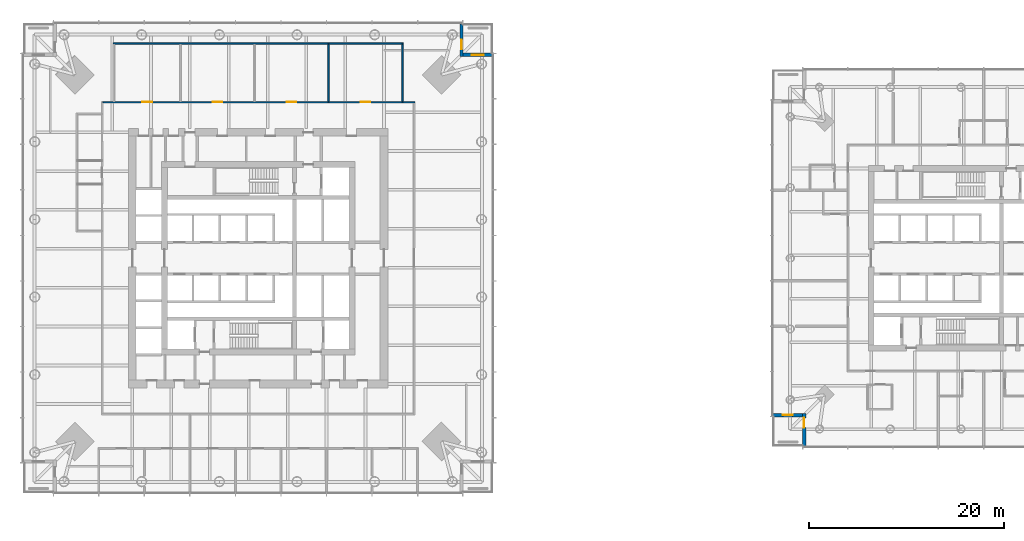
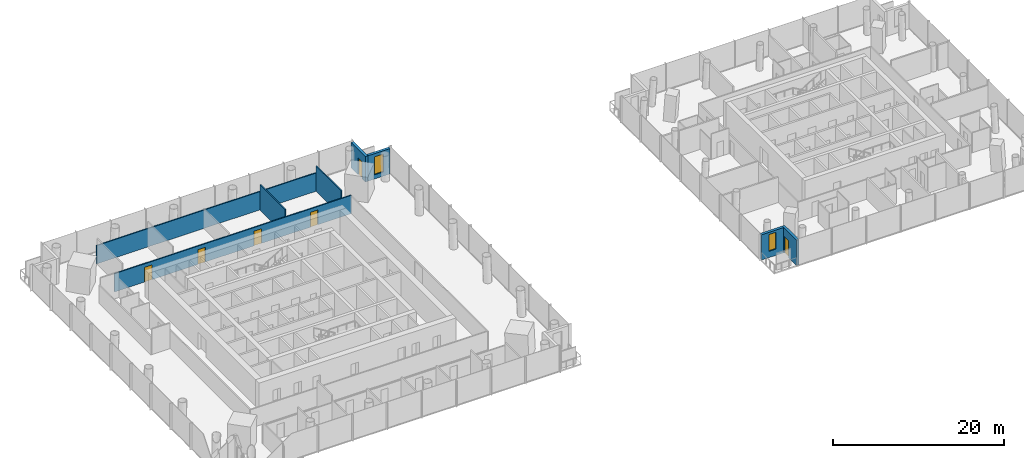
# One storey, part 11 of 18: 8 walls, 6 doors, 2 windows, 8 openings.
"""IFC4 building model written with IfcOpenShell, lengths in metres."""

from ifc_helpers import new_model, si_unit, direction, frame, frame_2d, origin, place, context, subcontext, project, spatial, rectangle, extrude, material, layer, layer_set, type_object, element, fill, save


model = new_model("IFC4")

# Units and contexts
model_context = context("Model", 3, precision=1e-05, world=origin(), true_north=direction((0.0, 1.0)))
body_context = subcontext(model_context, "Body", "Model", "MODEL_VIEW")
ifc_project = project(units=[si_unit("LENGTHUNIT", "METRE"), si_unit("AREAUNIT", "SQUARE_METRE"), si_unit("VOLUMEUNIT", "CUBIC_METRE"), si_unit("PLANEANGLEUNIT", "RADIAN"), si_unit("MASSUNIT", "GRAM", prefix="KILO")], contexts=[model_context])

# Site, building, storey
site_placement = place(None, origin())
site = spatial("IfcSite", under=ifc_project, at=site_placement, CompositionType="ELEMENT")
building_placement = place(site_placement, origin())
building = spatial("IfcBuilding", under=site, at=building_placement, Name="Ostroluk Exchange", CompositionType="ELEMENT")
storey_placement = place(building_placement, frame((0.0, 0.0, 55.199951171875)))
storey = spatial("IfcBuildingStorey", under=building, at=storey_placement, Name="L13", CompositionType="ELEMENT", Elevation=55.199951171875)

# Wall, opening, door
ifc_material_1 = material(Name="Limestone", Category="masonry")
ifc_layer_1 = layer(ifc_material_1, 0.35009765625)
ifc_layer_set_1 = layer_set([ifc_layer_1], Name="Limestone facade wall 350")
wall_type_1 = type_object("IfcWallType", Name="Limestone facade wall 350", PredefinedType="SOLIDWALL", material=ifc_layer_set_1)
wall_1_placement = place(storey_placement, frame((65.824951171875, 70.0, 0.0), z_axis=(0.0, 0.0, 1.0), x_axis=(0.0, -1.0, 0.0)))
wall_1 = element("IfcWall", 1, at=wall_1_placement, inside=storey, type_object=wall_type_1, Name="Office tower NE corner wall L13 a", PredefinedType="SOLIDWALL", context=body_context, shape_type="SweptSolid", body=[
    extrude(rectangle(XDim=3.35009765625, YDim=0.35009765625, at=frame_2d((1.675048828125, 0.0))), origin(), (0.0, 0.0, 1.0), 3.6201171875),
])
opening_1_placement = place(wall_1_placement, frame((1.60009765625, 0.0, 0.0)))
opening_1 = element("IfcOpeningElement", 2, at=opening_1_placement, cuts=wall_1, Name="Opening D-B1", PredefinedType="OPENING", context=body_context, shape_type="SweptSolid", body=[
    extrude(rectangle(XDim=1.0, YDim=2.39990234375, at=frame_2d((0.5, 1.199951171875))), frame((0.0, 0.18505859375, 0.0), z_axis=(0.0, -1.0, 0.0), x_axis=(1.0, 0.0, 0.0)), (0.0, 0.0, 1.0), 0.3701171875),
])
ifc_material_2 = material(Name="Bronze framed glazed door", Category="aluminium")
door_type_1 = type_object("IfcDoorType", Name="Balcony door 1000 x 2400", OperationType="SINGLE_SWING_LEFT", PredefinedType="DOOR", material=ifc_material_2)
door_1_placement = place(opening_1_placement, origin())
door_1 = element("IfcDoor", 3, at=door_1_placement, inside=storey, type_object=door_type_1, Name="Office tower NE balcony door L13", OperationType="SINGLE_SWING_RIGHT", OverallHeight=2.39990234375, OverallWidth=1.0, PredefinedType="DOOR", context=body_context, shape_type="SweptSolid", body=[
    extrude(rectangle(XDim=1.0, YDim=2.39990234375, at=frame_2d((0.5, 1.199951171875))), frame((0.0, 0.02490234375, 0.0), z_axis=(0.0, -1.0, 0.0), x_axis=(1.0, 0.0, 0.0)), (0.0, 0.0, 1.0), 0.050048828125),
])
fill(opening_1, door_1)

# Wall, opening, window
wall_2_placement = place(storey_placement, frame((66.0, 66.824951171875, 0.0), z_axis=(0.0, 0.0, 1.0), x_axis=(1.0, 0.0, 0.0)))
wall_2 = element("IfcWall", 4, at=wall_2_placement, inside=storey, type_object=wall_type_1, Name="Office tower NE corner wall L13 b", PredefinedType="SOLIDWALL", context=body_context, shape_type="SweptSolid", body=[
    extrude(rectangle(XDim=3.0, YDim=0.35009765625, at=frame_2d((1.5, 0.0))), origin(), (0.0, 0.0, 1.0), 3.6201171875),
])
opening_2_placement = place(wall_2_placement, frame((0.89990234375, 0.0, 0.60009765625)))
opening_2 = element("IfcOpeningElement", 5, at=opening_2_placement, cuts=wall_2, Name="Opening WN-L1", PredefinedType="OPENING", context=body_context, shape_type="SweptSolid", body=[
    extrude(rectangle(XDim=1.199951171875, YDim=2.550048828125, at=frame_2d((0.60009765625, 1.27490234375))), frame((0.0, 0.18505859375, 0.0), z_axis=(0.0, -1.0, 0.0), x_axis=(1.0, 0.0, 0.0)), (0.0, 0.0, 1.0), 0.3701171875),
])
ifc_material_3 = material(Name="Laminated clear glass", Category="glass")
window_type_1 = type_object("IfcWindowType", Name="Lancet window 1200 x 2550", PartitioningType="SINGLE_PANEL", PredefinedType="WINDOW", material=ifc_material_3)
window_1_placement = place(opening_2_placement, origin())
window_1 = element("IfcWindow", 6, at=window_1_placement, inside=storey, type_object=window_type_1, Name="Office tower NE lancet window L13", OverallHeight=2.550048828125, OverallWidth=1.199951171875, PartitioningType="SINGLE_PANEL", PredefinedType="WINDOW", context=body_context, shape_type="SweptSolid", body=[
    extrude(rectangle(XDim=1.199951171875, YDim=2.550048828125, at=frame_2d((0.60009765625, 1.27490234375))), frame((0.0, 0.030029296875, 0.0), z_axis=(0.0, -1.0, 0.0), x_axis=(1.0, 0.0, 0.0)), (0.0, 0.0, 1.0), 0.06005859375),
])
fill(opening_2, window_1)

# Wall, opening, door
wall_3_placement = place(storey_placement, frame((100.925048828125, 26.75, 0.0), z_axis=(0.0, 0.0, 1.0), x_axis=(0.0, 1.0, 0.0)))
wall_3 = element("IfcWall", 7, at=wall_3_placement, inside=storey, type_object=wall_type_1, Name="Hotel tower SW corner wall L13 a", PredefinedType="SOLIDWALL", context=body_context, shape_type="SweptSolid", body=[
    extrude(rectangle(XDim=3.35009765625, YDim=0.35009765625, at=frame_2d((1.675048828125, 0.0))), origin(), (0.0, 0.0, 1.0), 3.60009765625),
])
opening_3_placement = place(wall_3_placement, frame((1.89990234375, 0.0, 0.0)))
opening_3 = element("IfcOpeningElement", 8, at=opening_3_placement, cuts=wall_3, Name="Opening D-B1", PredefinedType="OPENING", context=body_context, shape_type="SweptSolid", body=[
    extrude(rectangle(XDim=1.0, YDim=2.39990234375, at=frame_2d((0.5, 1.199951171875))), frame((0.0, 0.18505859375, 0.0), z_axis=(0.0, -1.0, 0.0), x_axis=(1.0, 0.0, 0.0)), (0.0, 0.0, 1.0), 0.3701171875),
])
door_2_placement = place(opening_3_placement, origin())
door_2 = element("IfcDoor", 9, at=door_2_placement, inside=storey, type_object=door_type_1, Name="Hotel tower SW balcony door L13", OperationType="SINGLE_SWING_RIGHT", OverallHeight=2.39990234375, OverallWidth=1.0, PredefinedType="DOOR", context=body_context, shape_type="SweptSolid", body=[
    extrude(rectangle(XDim=1.0, YDim=2.39990234375, at=frame_2d((0.5, 1.199951171875))), frame((0.0, 0.02490234375, 0.0), z_axis=(0.0, -1.0, 0.0), x_axis=(1.0, 0.0, 0.0)), (0.0, 0.0, 1.0), 0.050048828125),
])
fill(opening_3, door_2)

# Wall, opening, window
wall_4_placement = place(storey_placement, frame((100.75, 29.925048828125, 0.0), z_axis=(0.0, 0.0, 1.0), x_axis=(-1.0, 0.0, 0.0)))
wall_4 = element("IfcWall", 10, at=wall_4_placement, inside=storey, type_object=wall_type_1, Name="Hotel tower SW corner wall L13 b", PredefinedType="SOLIDWALL", context=body_context, shape_type="SweptSolid", body=[
    extrude(rectangle(XDim=3.0, YDim=0.35009765625, at=frame_2d((1.5, 0.0))), origin(), (0.0, 0.0, 1.0), 3.60009765625),
])
opening_4_placement = place(wall_4_placement, frame((1.0, 0.0, 0.89990234375)))
opening_4 = element("IfcOpeningElement", 11, at=opening_4_placement, cuts=wall_4, Name="Opening WN-L3", PredefinedType="OPENING", context=body_context, shape_type="SweptSolid", body=[
    extrude(rectangle(XDim=1.0, YDim=2.39990234375, at=frame_2d((0.5, 1.199951171875))), frame((0.0, 0.18505859375, 0.0), z_axis=(0.0, -1.0, 0.0), x_axis=(1.0, 0.0, 0.0)), (0.0, 0.0, 1.0), 0.3701171875),
])
ifc_material_4 = material(Name="Laminated clear glass", Category="glass")
window_type_2 = type_object("IfcWindowType", Name="Hotel lancet window 1000 x 2400", PartitioningType="SINGLE_PANEL", PredefinedType="WINDOW", material=ifc_material_4)
window_2_placement = place(opening_4_placement, origin())
window_2 = element("IfcWindow", 12, at=window_2_placement, inside=storey, type_object=window_type_2, Name="Hotel tower SW lancet window L13", OverallHeight=2.39990234375, OverallWidth=1.0, PartitioningType="SINGLE_PANEL", PredefinedType="WINDOW", context=body_context, shape_type="SweptSolid", body=[
    extrude(rectangle(XDim=1.0, YDim=2.39990234375, at=frame_2d((0.5, 1.199951171875))), frame((0.0, 0.030029296875, 0.0), z_axis=(0.0, -1.0, 0.0), x_axis=(1.0, 0.0, 0.0)), (0.0, 0.0, 1.0), 0.06005859375),
])
fill(opening_4, window_2)

# Walls
ifc_material_5 = material(Name="Gypsum plasterboard partition", Category="gypsum")
ifc_layer_2 = layer(ifc_material_5, 0.14990234375)
ifc_layer_set_2 = layer_set([ifc_layer_2], Name="Plasterboard partition 150")
wall_type_2 = type_object("IfcWallType", Name="Plasterboard partition 150", PredefinedType="PARTITIONING", material=ifc_layer_set_2)
for number, where, z_axis, x_axis, name in (
    (13, (59.77490234375, 62.050048828125, 0.0), (0.0, 0.0, 1.0), (0.0, 1.0, 0.0), "Partition"),
    (14, (52.197998046875, 62.050048828125, 0.0), (0.0, 0.0, 1.0), (0.0, 1.0, 0.0), "Partition"),
):
    element("IfcWall", number, at=place(storey_placement, frame(where, z_axis=z_axis, x_axis=x_axis)), inside=storey, type_object=wall_type_2, Name=name, PredefinedType="PARTITIONING", context=body_context, shape_type="SweptSolid", body=[
        extrude(rectangle(XDim=5.849853515625, YDim=0.14990234375, at=frame_2d((2.9248046875, 0.0))), origin(), (0.0, 0.0, 1.0), 3.6201171875),
    ])
wall_5_placement = place(storey_placement, frame((59.85009765625, 67.97509765625, 0.0), z_axis=(0.0, 0.0, 1.0), x_axis=(-1.0, 0.0, 0.0)))
element("IfcWall", 15, at=wall_5_placement, inside=storey, type_object=wall_type_2, Name="Partition", PredefinedType="PARTITIONING", context=body_context, shape_type="SweptSolid", body=[
    extrude(rectangle(XDim=29.7001953125, YDim=0.14990234375, at=frame_2d((14.85009765625, 0.0))), origin(), (0.0, 0.0, 1.0), 2.612060546875),
])

# Wall, openings, doors
wall_6_placement = place(storey_placement, frame((61.050048828125, 61.97509765625, 0.0), z_axis=(0.0, 0.0, 1.0), x_axis=(-1.0, 0.0, 0.0)))
wall_6 = element("IfcWall", 16, at=wall_6_placement, inside=storey, type_object=wall_type_2, Name="Corridor wall", PredefinedType="PARTITIONING", context=body_context, shape_type="SweptSolid", body=[
    extrude(rectangle(XDim=31.949951171875, YDim=0.14990234375, at=frame_2d((15.97509765625, 0.0))), origin(), (0.0, 0.0, 1.0), 2.612060546875),
])
opening_5_placement = place(wall_6_placement, frame((4.5634765625, 0.0, 0.0)))
opening_5 = element("IfcOpeningElement", 17, at=opening_5_placement, cuts=wall_6, Name="Opening D-03", PredefinedType="OPENING", context=body_context, shape_type="SweptSolid", body=[
    extrude(rectangle(XDim=1.0, YDim=2.10009765625, at=frame_2d((0.5, 1.050048828125))), frame((0.0, 0.0849609375, 0.0), z_axis=(0.0, -1.0, 0.0), x_axis=(1.0, 0.0, 0.0)), (0.0, 0.0, 1.0), 0.169921875),
])
opening_6_placement = place(wall_6_placement, frame((12.140380859375, 0.0, 0.0)))
opening_6 = element("IfcOpeningElement", 18, at=opening_6_placement, cuts=wall_6, Name="Opening D-03", PredefinedType="OPENING", context=body_context, shape_type="SweptSolid", body=[
    extrude(rectangle(XDim=1.0, YDim=2.10009765625, at=frame_2d((0.5, 1.050048828125))), frame((0.0, 0.0849609375, 0.0), z_axis=(0.0, -1.0, 0.0), x_axis=(1.0, 0.0, 0.0)), (0.0, 0.0, 1.0), 0.169921875),
])
opening_7_placement = place(wall_6_placement, frame((19.71728515625, 0.0, 0.0)))
opening_7 = element("IfcOpeningElement", 19, at=opening_7_placement, cuts=wall_6, Name="Opening D-03", PredefinedType="OPENING", context=body_context, shape_type="SweptSolid", body=[
    extrude(rectangle(XDim=1.0, YDim=2.10009765625, at=frame_2d((0.5, 1.050048828125))), frame((0.0, 0.0849609375, 0.0), z_axis=(0.0, -1.0, 0.0), x_axis=(1.0, 0.0, 0.0)), (0.0, 0.0, 1.0), 0.169921875),
])
opening_8_placement = place(wall_6_placement, frame((26.915283203125, 0.0, 0.0)))
opening_8 = element("IfcOpeningElement", 20, at=opening_8_placement, cuts=wall_6, Name="Opening D-03", PredefinedType="OPENING", context=body_context, shape_type="SweptSolid", body=[
    extrude(rectangle(XDim=1.0, YDim=2.10009765625, at=frame_2d((0.5, 1.050048828125))), frame((0.0, 0.0849609375, 0.0), z_axis=(0.0, -1.0, 0.0), x_axis=(1.0, 0.0, 0.0)), (0.0, 0.0, 1.0), 0.169921875),
])
ifc_material_6 = material(Name="Timber", Category="wood")
door_type_2 = type_object("IfcDoorType", Name="Internal door 1000 x 2100", OperationType="SINGLE_SWING_LEFT", PredefinedType="DOOR", material=ifc_material_6)
door_3_placement = place(opening_5_placement, origin())
door_3 = element("IfcDoor", 21, at=door_3_placement, inside=storey, type_object=door_type_2, Name="Client meeting room door", OperationType="SINGLE_SWING_LEFT", OverallHeight=2.10009765625, OverallWidth=1.0, PredefinedType="DOOR", context=body_context, shape_type="SweptSolid", body=[
    extrude(rectangle(XDim=1.0, YDim=2.10009765625, at=frame_2d((0.5, 1.050048828125))), frame((0.0, 0.02490234375, 0.0), z_axis=(0.0, -1.0, 0.0), x_axis=(1.0, 0.0, 0.0)), (0.0, 0.0, 1.0), 0.050048828125),
])
fill(opening_5, door_3)
door_4_placement = place(opening_6_placement, origin())
door_4 = element("IfcDoor", 22, at=door_4_placement, inside=storey, type_object=door_type_2, Name="Client meeting room door", OperationType="SINGLE_SWING_LEFT", OverallHeight=2.10009765625, OverallWidth=1.0, PredefinedType="DOOR", context=body_context, shape_type="SweptSolid", body=[
    extrude(rectangle(XDim=1.0, YDim=2.10009765625, at=frame_2d((0.5, 1.050048828125))), frame((0.0, 0.02490234375, 0.0), z_axis=(0.0, -1.0, 0.0), x_axis=(1.0, 0.0, 0.0)), (0.0, 0.0, 1.0), 0.050048828125),
])
fill(opening_6, door_4)
door_5_placement = place(opening_7_placement, origin())
door_5 = element("IfcDoor", 23, at=door_5_placement, inside=storey, type_object=door_type_2, Name="Client meeting room door", OperationType="SINGLE_SWING_RIGHT", OverallHeight=2.10009765625, OverallWidth=1.0, PredefinedType="DOOR", context=body_context, shape_type="SweptSolid", body=[
    extrude(rectangle(XDim=1.0, YDim=2.10009765625, at=frame_2d((0.5, 1.050048828125))), frame((0.0, 0.02490234375, 0.0), z_axis=(0.0, -1.0, 0.0), x_axis=(1.0, 0.0, 0.0)), (0.0, 0.0, 1.0), 0.050048828125),
])
fill(opening_7, door_5)
door_6_placement = place(opening_8_placement, origin())
door_6 = element("IfcDoor", 24, at=door_6_placement, inside=storey, type_object=door_type_2, Name="Pantry door", OperationType="SINGLE_SWING_RIGHT", OverallHeight=2.10009765625, OverallWidth=1.0, PredefinedType="DOOR", context=body_context, shape_type="SweptSolid", body=[
    extrude(rectangle(XDim=1.0, YDim=2.10009765625, at=frame_2d((0.5, 1.050048828125))), frame((0.0, 0.02490234375, 0.0), z_axis=(0.0, -1.0, 0.0), x_axis=(1.0, 0.0, 0.0)), (0.0, 0.0, 1.0), 0.050048828125),
])
fill(opening_8, door_6)

save(model, "model.ifc")
